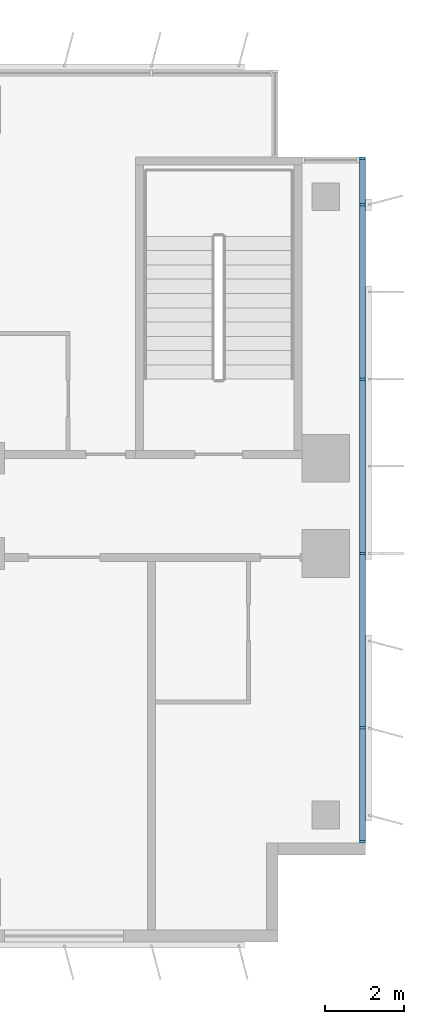
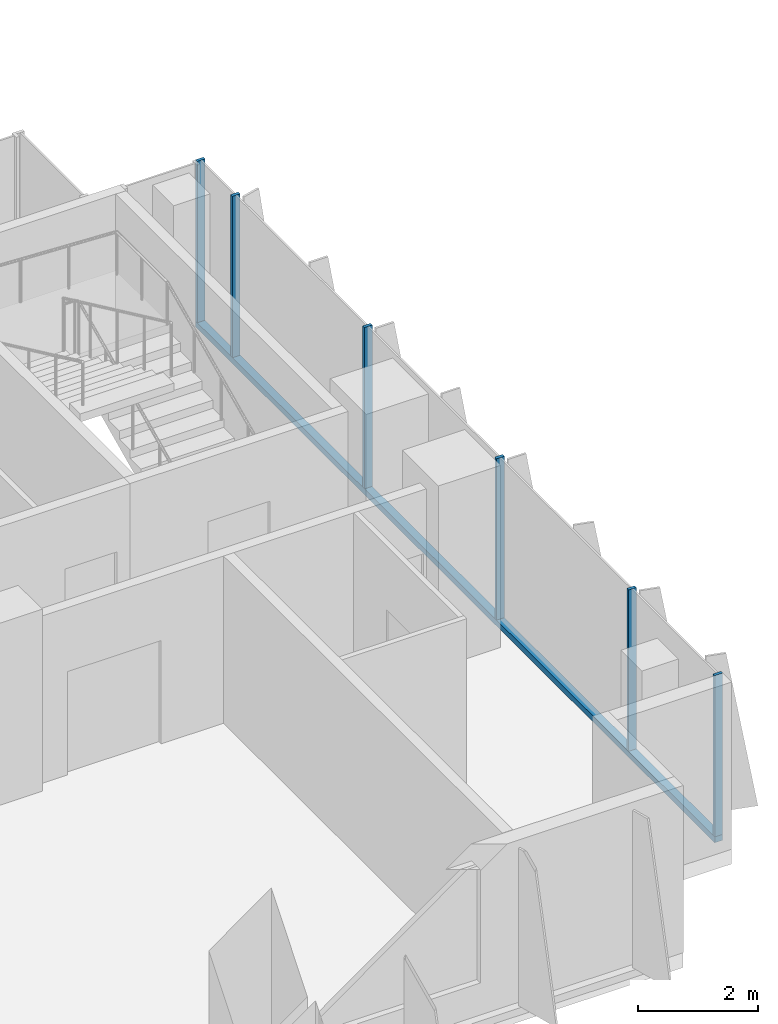
# One storey, part 8 of 22: 7 members, 1 element without a shape of its own.
"""IFC4 building model written with IfcOpenShell, lengths in metres."""

from ifc_helpers import new_model, si_unit, direction, frame, origin, origin_2d, place, context, subcontext, project, spatial, rectangle, extrude, source, transform, mapped, material, material_profile, profile_set, type_object, element, aggregate, save


model = new_model("IFC4")

# Units and contexts
model_context = context("Model", 3, precision=1e-05, world=origin(), true_north=direction((0.0, 1.0)))
body_context = subcontext(model_context, "Body", "Model", "MODEL_VIEW")
ifc_project = project(units=[si_unit("LENGTHUNIT", "METRE"), si_unit("AREAUNIT", "SQUARE_METRE"), si_unit("VOLUMEUNIT", "CUBIC_METRE"), si_unit("PLANEANGLEUNIT", "RADIAN"), si_unit("MASSUNIT", "GRAM", prefix="KILO")], contexts=[model_context])

# Site, building, storey
site_placement = place(None, origin())
site = spatial("IfcSite", under=ifc_project, at=site_placement, CompositionType="ELEMENT")
building_placement = place(site_placement, origin())
building = spatial("IfcBuilding", under=site, at=building_placement, Name="Kemantara Hotel Tower", CompositionType="ELEMENT")
storey_placement = place(building_placement, frame((0.0, 0.0, 145.699951171875)))
storey = spatial("IfcBuildingStorey", under=building, at=storey_placement, Name="L35", CompositionType="ELEMENT", Elevation=145.699951171875)

# Curtain wall, members
ifc_material_1 = material(Name="Low-E tinted double insulated glass 36 mm", Category="glass")
curtain_wall_type = type_object("IfcCurtainWallType", Name="TOWER CURTAIN WALL, FRONT FACES", PredefinedType="USERDEFINED", material=ifc_material_1)
curtain_wall_placement = place(storey_placement, origin())
curtain_wall = element("IfcCurtainWall", 1, at=curtain_wall_placement, inside=storey, type_object=curtain_wall_type, Name="CW4 L35 T2-R10-1", ObjectType="TOWER CURTAIN WALL, FRONT FACES", PredefinedType="USERDEFINED")
ifc_material_2 = material(Name="Aluminium 6063-T6 bronze anodised", Category="aluminium")
ifc_material_profile_1 = material_profile(ifc_material_2, rectangle(XDim=0.14990234375, YDim=0.1201171875, at=origin_2d()), Name="TOWER CURTAIN WALL, FRONT FACES TRANSOM")
ifc_profile_set_1 = profile_set([ifc_material_profile_1], Name="Aluminium 6063-T6 bronze anodised")
member_type_1 = type_object("IfcMemberType", Name="TOWER CURTAIN WALL, FRONT FACES TRANSOM", PredefinedType="USERDEFINED", material=ifc_profile_set_1)
member_1_placement = place(storey_placement, frame((63.52490234375, 2.5, 0.06005859375), z_axis=(0.0, 1.0, 0.0), x_axis=(-1.0, 0.0, 0.0)))
member_1 = element("IfcMember", 2, at=member_1_placement, type_object=member_type_1, Name="CW4 sill transom T2-R10-1", ObjectType="TRANSOM", PredefinedType="USERDEFINED", context=body_context, shape_type="SweptSolid", body=[
    extrude(rectangle(XDim=0.14990234375, YDim=0.1201171875, at=origin_2d()), origin(), (0.0, 0.0, 1.0), 17.300048828125),
])
ifc_material_profile_2 = material_profile(ifc_material_2, rectangle(XDim=0.14990234375, YDim=0.06005859375, at=origin_2d()), Name="TOWER CURTAIN WALL, FRONT FACES MULLION")
ifc_profile_set_2 = profile_set([ifc_material_profile_2], Name="Aluminium 6063-T6 bronze anodised")
member_type_2 = type_object("IfcMemberType", Name="TOWER CURTAIN WALL, FRONT FACES MULLION", PredefinedType="MULLION", material=ifc_profile_set_2)
shared_shape = source(origin(), body_context, "Body", "SweptSolid", [
    extrude(rectangle(XDim=0.14990234375, YDim=0.06005859375, at=origin_2d()), origin(), (0.0, 0.0, 1.0), 3.280029296875),
])
member_2_placement = place(storey_placement, frame((63.52490234375, 2.530029296875, 0.1201171875), z_axis=(0.0, 0.0, 1.0), x_axis=(-1.0, 0.0, 0.0)))
member_2 = element("IfcMember", 3, at=member_2_placement, type_object=member_type_2, Name="CW4 mullion T2-R10-1.1", PredefinedType="MULLION", context=body_context, shape_type="MappedRepresentation", body=[
    mapped(shared_shape, transform((0.0, 0.0, 0.0))),
])
member_3_placement = place(storey_placement, frame((63.52490234375, 5.39990234375, 0.1201171875), z_axis=(0.0, 0.0, 1.0), x_axis=(-1.0, 0.0, 0.0)))
member_3 = element("IfcMember", 4, at=member_3_placement, type_object=member_type_2, Name="CW4 mullion T2-R10-1.2", PredefinedType="MULLION", context=body_context, shape_type="MappedRepresentation", body=[
    mapped(shared_shape, transform((0.0, 0.0, 0.0))),
])
member_4_placement = place(storey_placement, frame((63.52490234375, 9.800048828125, 0.1201171875), z_axis=(0.0, 0.0, 1.0), x_axis=(-1.0, 0.0, 0.0)))
member_4 = element("IfcMember", 5, at=member_4_placement, type_object=member_type_2, Name="CW4 mullion T2-R10-1.3", PredefinedType="MULLION", context=body_context, shape_type="MappedRepresentation", body=[
    mapped(shared_shape, transform((0.0, 0.0, 0.0))),
])
member_5_placement = place(storey_placement, frame((63.52490234375, 14.199951171875, 0.1201171875), z_axis=(0.0, 0.0, 1.0), x_axis=(-1.0, 0.0, 0.0)))
member_5 = element("IfcMember", 6, at=member_5_placement, type_object=member_type_2, Name="CW4 mullion T2-R10-1.4", PredefinedType="MULLION", context=body_context, shape_type="MappedRepresentation", body=[
    mapped(shared_shape, transform((0.0, 0.0, 0.0))),
])
member_6_placement = place(storey_placement, frame((63.52490234375, 18.60009765625, 0.1201171875), z_axis=(0.0, 0.0, 1.0), x_axis=(-1.0, 0.0, 0.0)))
member_6 = element("IfcMember", 7, at=member_6_placement, type_object=member_type_2, Name="CW4 mullion T2-R10-1.5", PredefinedType="MULLION", context=body_context, shape_type="MappedRepresentation", body=[
    mapped(shared_shape, transform((0.0, 0.0, 0.0))),
])
member_7_placement = place(storey_placement, frame((63.52490234375, 19.77001953125, 0.1201171875), z_axis=(0.0, 0.0, 1.0), x_axis=(-1.0, 0.0, 0.0)))
member_7 = element("IfcMember", 8, at=member_7_placement, type_object=member_type_2, Name="CW4 mullion T2-R10-1.6", PredefinedType="MULLION", context=body_context, shape_type="MappedRepresentation", body=[
    mapped(shared_shape, transform((0.0, 0.0, 0.0))),
])
aggregate(curtain_wall, [member_1, member_2, member_3, member_4, member_5, member_6, member_7])

save(model, "model.ifc")
